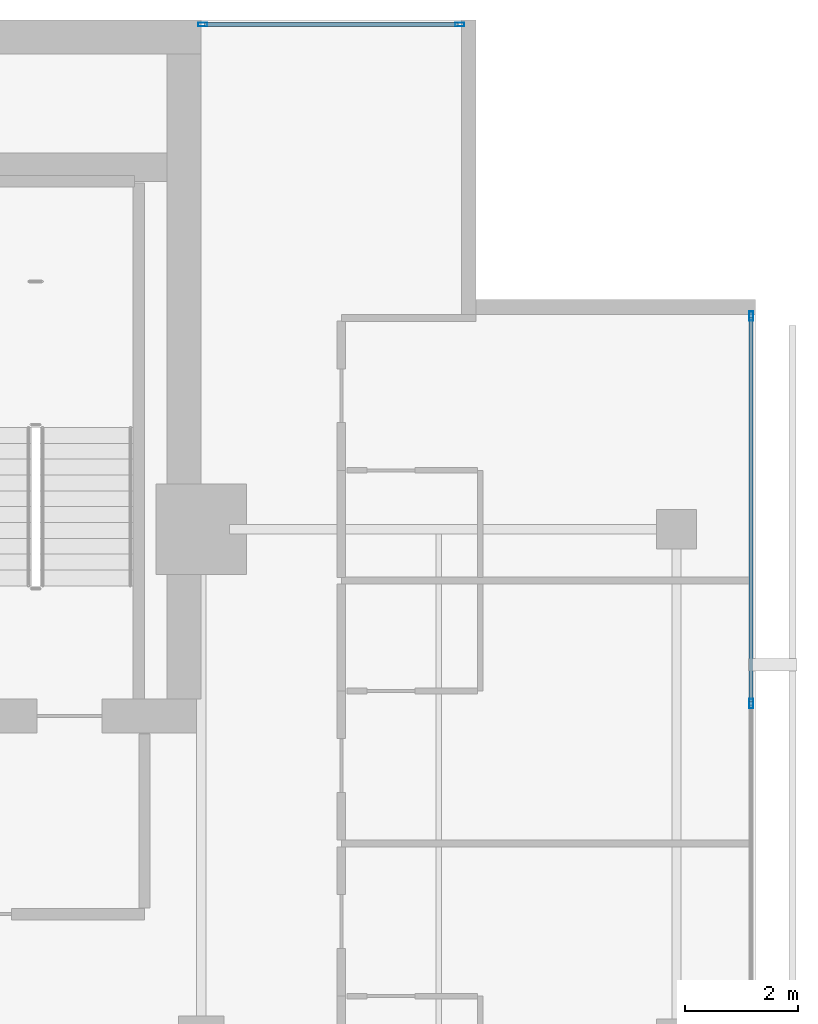
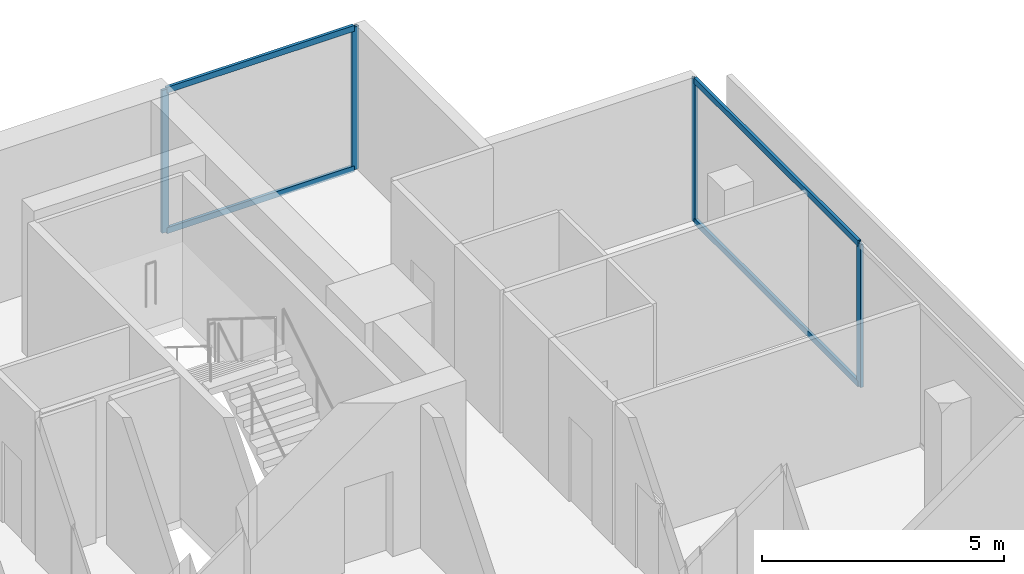
# One storey, part 18 of 26: 8 members, 2 elements without a shape of their own.
"""IFC4 building model written with IfcOpenShell, lengths in metres."""

from ifc_helpers import new_model, si_unit, direction, frame, origin, origin_2d, place, context, subcontext, project, spatial, hollow_rectangle, extrude, material, layer, layer_set, material_profile, profile_set, type_object, element, aggregate, save


model = new_model("IFC4")

# Units and contexts
model_context = context("Model", 3, precision=1e-05, world=origin(), true_north=direction((0.0, 1.0)))
body_context = subcontext(model_context, "Body", "Model", "MODEL_VIEW")
ifc_project = project(units=[si_unit("LENGTHUNIT", "METRE"), si_unit("AREAUNIT", "SQUARE_METRE"), si_unit("VOLUMEUNIT", "CUBIC_METRE"), si_unit("PLANEANGLEUNIT", "RADIAN"), si_unit("MASSUNIT", "GRAM", prefix="KILO")], contexts=[model_context])

# Site, building, storey
site_placement = place(None, origin())
site = spatial("IfcSite", under=ifc_project, at=site_placement, CompositionType="ELEMENT")
building_placement = place(site_placement, origin())
building = spatial("IfcBuilding", under=site, at=building_placement, Name="Maruvema Waterfront Hotel and Observation Tower", CompositionType="ELEMENT")
storey_placement = place(building_placement, frame((0.0, 0.0, 285.60009765625)))
storey = spatial("IfcBuildingStorey", under=building, at=storey_placement, Name="L70", CompositionType="ELEMENT", Elevation=285.60009765625)

# Curtain wall, members
ifc_material_1 = material(Name="Anodised bronze aluminium and solar-control low-E IGU", Category="aluminium")
ifc_layer = layer(ifc_material_1, 0.159912109375, Name="Zone 3 Champagne Inner Thermal Curtain Wall System CW-04")
ifc_layer_set = layer_set([ifc_layer], Name="Anodised bronze aluminium and solar-control low-E IGU")
curtain_wall_type = type_object("IfcCurtainWallType", Name="Zone 3 Champagne Inner Thermal Curtain Wall System CW-04", PredefinedType="USERDEFINED", material=ifc_layer_set)
curtain_wall_1_placement = place(storey_placement, origin())
curtain_wall_1 = element("IfcCurtainWall", 1, at=curtain_wall_1_placement, inside=storey, type_object=curtain_wall_type, Name="L70 Curtain Wall CW-L70-E", ObjectType="UNITISED CURTAIN WALL", PredefinedType="USERDEFINED")
ifc_material_2 = material(Name="Anodised architectural bronze aluminium", Category="aluminium")
ifc_material_profile_1 = material_profile(ifc_material_2, hollow_rectangle(XDim=0.070068359375, YDim=0.14990234375, WallThickness=0.00390625, at=origin_2d()), Name="ALU-T70x150")
ifc_profile_set_1 = profile_set([ifc_material_profile_1], Name="Anodised architectural bronze aluminium")
member_type_1 = type_object("IfcMemberType", Name="Curtain Wall Horizontal Transom ALU-T70x150", PredefinedType="USERDEFINED", material=ifc_profile_set_1)
member_1_placement = place(storey_placement, frame((60.1201171875, 41.949951171875, 0.02978515625), z_axis=(0.0, 1.0, 0.0), x_axis=(-1.0, 0.0, 0.0)))
member_1 = element("IfcMember", 2, at=member_1_placement, type_object=member_type_1, Name="CW-04 transom 5.1", ObjectType="TRANSOM", PredefinedType="USERDEFINED", context=body_context, shape_type="SweptSolid", body=[
    extrude(hollow_rectangle(XDim=0.070068359375, YDim=0.14990234375, WallThickness=0.00390625, at=origin_2d()), origin(), (0.0, 0.0, 1.0), 6.7900390625),
])
member_2_placement = place(storey_placement, frame((60.1201171875, 41.949951171875, 3.579833984375), z_axis=(0.0, 1.0, 0.0), x_axis=(-1.0, 0.0, 0.0)))
member_2 = element("IfcMember", 3, at=member_2_placement, type_object=member_type_1, Name="CW-04 transom 5.2", ObjectType="TRANSOM", PredefinedType="USERDEFINED", context=body_context, shape_type="SweptSolid", body=[
    extrude(hollow_rectangle(XDim=0.070068359375, YDim=0.14990234375, WallThickness=0.00390625, at=origin_2d()), origin(), (0.0, 0.0, 1.0), 6.7900390625),
])

curtain_wall_2_placement = place(storey_placement, origin())
curtain_wall_2 = element("IfcCurtainWall", 4, at=curtain_wall_2_placement, inside=storey, type_object=curtain_wall_type, Name="L70 Curtain Wall CW-L70-NE", ObjectType="UNITISED CURTAIN WALL", PredefinedType="USERDEFINED")
member_3_placement = place(storey_placement, frame((54.93994140625, 53.919921875, 0.02978515625), z_axis=(-1.0, 0.0, 0.0), x_axis=(0.0, -1.0, 0.0)))
member_3 = element("IfcMember", 5, at=member_3_placement, type_object=member_type_1, Name="CW-04 transom 1.1", ObjectType="TRANSOM", PredefinedType="USERDEFINED", context=body_context, shape_type="SweptSolid", body=[
    extrude(hollow_rectangle(XDim=0.070068359375, YDim=0.14990234375, WallThickness=0.00390625, at=origin_2d()), origin(), (0.0, 0.0, 1.0), 4.47998046875),
])
member_4_placement = place(storey_placement, frame((54.93994140625, 53.919921875, 3.579833984375), z_axis=(-1.0, 0.0, 0.0), x_axis=(0.0, -1.0, 0.0)))
member_4 = element("IfcMember", 6, at=member_4_placement, type_object=member_type_1, Name="CW-04 transom 1.2", ObjectType="TRANSOM", PredefinedType="USERDEFINED", context=body_context, shape_type="SweptSolid", body=[
    extrude(hollow_rectangle(XDim=0.070068359375, YDim=0.14990234375, WallThickness=0.00390625, at=origin_2d()), origin(), (0.0, 0.0, 1.0), 4.47998046875),
])

# Member
ifc_material_3 = material(Name="Anodised architectural bronze aluminium", Category="aluminium")
ifc_material_profile_2 = material_profile(ifc_material_3, hollow_rectangle(XDim=0.06494140625, YDim=0.1650390625, WallThickness=0.00390625, at=origin_2d()), Name="ALU-M65x165")
ifc_profile_set_2 = profile_set([ifc_material_profile_2], Name="Anodised architectural bronze aluminium")
member_type_2 = type_object("IfcMemberType", Name="Curtain Wall Primary Mullion ALU-M65x165", PredefinedType="MULLION", material=ifc_profile_set_2)
member_5_placement = place(storey_placement, frame((60.1201171875, 41.919921875, 0.0), z_axis=(0.0, 0.0, 1.0), x_axis=(-1.0, 0.0, 0.0)))
member_5 = element("IfcMember", 7, at=member_5_placement, type_object=member_type_2, Name="CW-04 mullion 5", PredefinedType="MULLION", context=body_context, shape_type="SweptSolid", body=[
    extrude(hollow_rectangle(XDim=0.06494140625, YDim=0.1650390625, WallThickness=0.00390625, at=origin_2d()), origin(), (0.0, 0.0, 1.0), 3.60986328125),
])

member_6_placement = place(storey_placement, frame((60.1201171875, 48.77001953125, 0.0), z_axis=(0.0, 0.0, 1.0), x_axis=(-1.0, 0.0, 0.0)))
member_6 = element("IfcMember", 8, at=member_6_placement, type_object=member_type_2, Name="CW-04 mullion 6", PredefinedType="MULLION", context=body_context, shape_type="SweptSolid", body=[
    extrude(hollow_rectangle(XDim=0.06494140625, YDim=0.1650390625, WallThickness=0.00390625, at=origin_2d()), origin(), (0.0, 0.0, 1.0), 3.60986328125),
])

aggregate(curtain_wall_1, [member_5, member_6, member_1, member_2])

member_7_placement = place(storey_placement, frame((54.969970703125, 53.919921875, 0.0), z_axis=(0.0, 0.0, 1.0), x_axis=(0.0, -1.0, 0.0)))
member_7 = element("IfcMember", 9, at=member_7_placement, type_object=member_type_2, Name="CW-04 mullion 1", PredefinedType="MULLION", context=body_context, shape_type="SweptSolid", body=[
    extrude(hollow_rectangle(XDim=0.06494140625, YDim=0.1650390625, WallThickness=0.00390625, at=origin_2d()), origin(), (0.0, 0.0, 1.0), 3.60986328125),
])

member_8_placement = place(storey_placement, frame((50.429931640625, 53.919921875, 0.0), z_axis=(0.0, 0.0, 1.0), x_axis=(0.0, -1.0, 0.0)))
member_8 = element("IfcMember", 10, at=member_8_placement, type_object=member_type_2, Name="CW-04 mullion 2", PredefinedType="MULLION", context=body_context, shape_type="SweptSolid", body=[
    extrude(hollow_rectangle(XDim=0.06494140625, YDim=0.1650390625, WallThickness=0.00390625, at=origin_2d()), origin(), (0.0, 0.0, 1.0), 3.60986328125),
])

aggregate(curtain_wall_2, [member_7, member_8, member_3, member_4])

save(model, "model.ifc")
